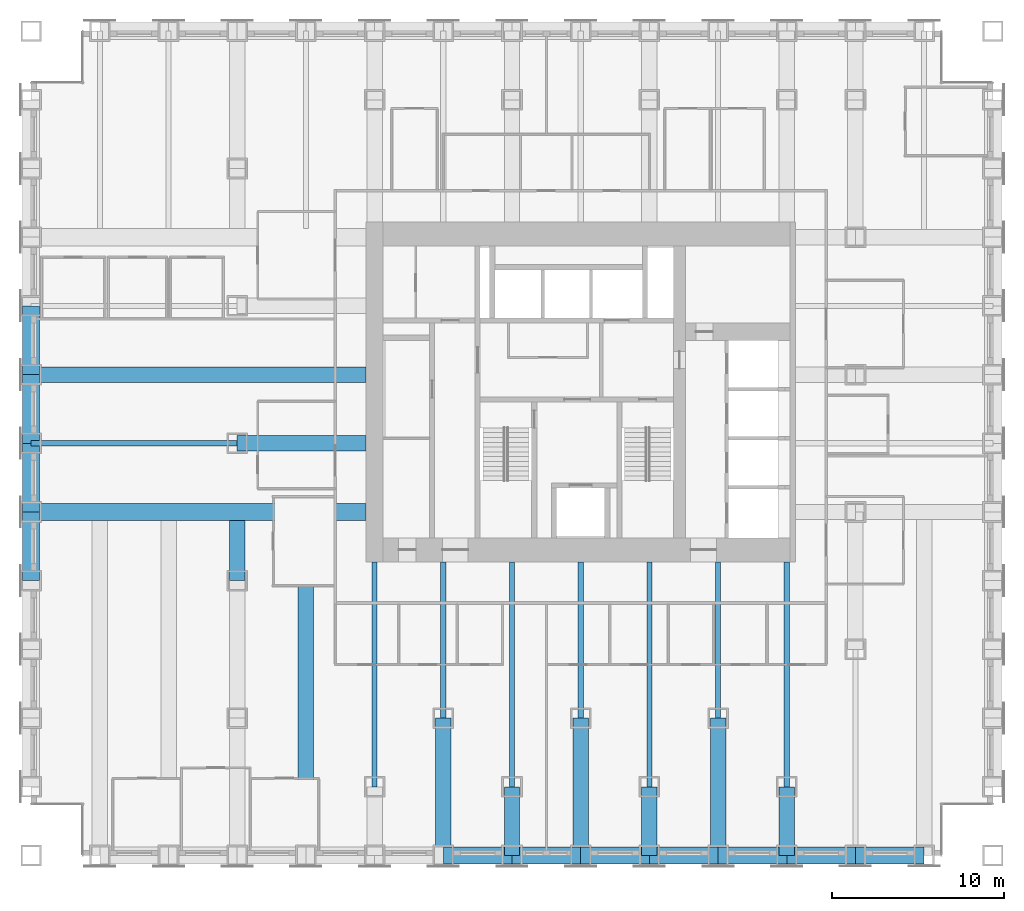
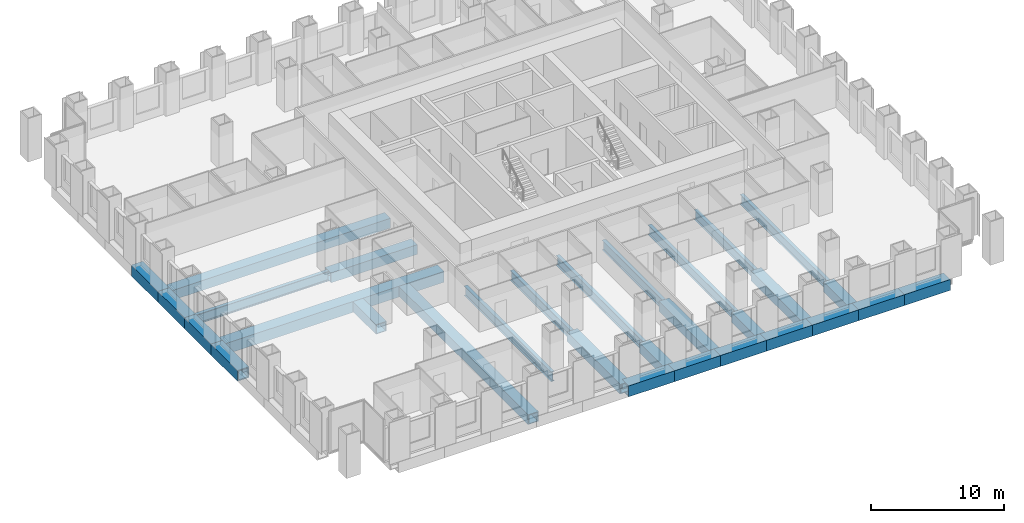
# One storey, part 3 of 14: 30 beams.
"""IFC4 building model written with IfcOpenShell, lengths in metres."""

from ifc_helpers import new_model, si_unit, direction, frame, origin, origin_2d, place, context, subcontext, project, spatial, hollow_rectangle, i_section, extrude, material, material_profile, profile_set, type_object, element, save


model = new_model("IFC4")

# Units and contexts
model_context = context("Model", 3, precision=1e-05, world=origin(), true_north=direction((0.0, 1.0)))
body_context = subcontext(model_context, "Body", "Model", "MODEL_VIEW")
ifc_project = project(units=[si_unit("LENGTHUNIT", "METRE"), si_unit("AREAUNIT", "SQUARE_METRE"), si_unit("VOLUMEUNIT", "CUBIC_METRE"), si_unit("PLANEANGLEUNIT", "RADIAN"), si_unit("MASSUNIT", "GRAM", prefix="KILO")], contexts=[model_context])

# Site, building, storey
site_placement = place(None, origin())
site = spatial("IfcSite", under=ifc_project, at=site_placement, CompositionType="ELEMENT")
building_placement = place(site_placement, origin())
building = spatial("IfcBuilding", under=site, at=building_placement, Name="Rimbunsela Tower", CompositionType="ELEMENT")
storey_placement = place(building_placement, frame((0.0, 0.0, 59.0)))
storey = spatial("IfcBuildingStorey", under=building, at=storey_placement, Name="L14", CompositionType="ELEMENT", Elevation=59.0)

# Beams
ifc_material_1 = material(Name="Steel BJ 55 (fy 410 MPa)", Category="steel")
ifc_material_profile_1 = material_profile(ifc_material_1, hollow_rectangle(XDim=1.0, YDim=1.0, WallThickness=0.10009765625, at=origin_2d()), Name="BOX 1000x1000x100")
ifc_profile_set_1 = profile_set([ifc_material_profile_1], Name="Steel BJ 55 (fy 410 MPa)")
beam_type_1 = type_object("IfcBeamType", Name="Beam BOX 1000x1000x100", PredefinedType="BEAM", material=ifc_profile_set_1)
for number, where, z_axis, x_axis, name in (
    (1, (-2.0, 16.0, -0.64990234375), (0.0, 1.0, 0.0), (-1.0, 0.0, 0.0), "Beam B3 L14"),
    (2, (-2.0, 20.0, -0.64990234375), (0.0, 1.0, 0.0), (-1.0, 0.0, 0.0), "Beam B3 L14"),
):
    element("IfcBeam", number, at=place(storey_placement, frame(where, z_axis=z_axis, x_axis=x_axis)), inside=storey, type_object=beam_type_1, Name=name, PredefinedType="BEAM", context=body_context, shape_type="SweptSolid", body=[
        extrude(hollow_rectangle(XDim=1.0, YDim=1.0, WallThickness=0.10009765625, at=origin_2d()), origin(), (0.0, 0.0, 1.0), 4.0),
    ])
beam_1_placement = place(storey_placement, frame((-2.0, 20.0, -0.64990234375), z_axis=(1.0, 0.0, 0.0), x_axis=(0.0, 1.0, 0.0)))
element("IfcBeam", 3, at=beam_1_placement, inside=storey, type_object=beam_type_1, Name="Beam B3 L14", PredefinedType="BEAM", context=body_context, shape_type="SweptSolid", body=[
    extrude(hollow_rectangle(XDim=1.0, YDim=1.0, WallThickness=0.10009765625, at=origin_2d()), origin(), (0.0, 0.0, 1.0), 19.5),
])
for number, where, z_axis, x_axis, name in (
    (4, (-2.0, 24.0, -0.64990234375), (0.0, 1.0, 0.0), (-1.0, 0.0, 0.0), "Beam B3 L14"),
    (5, (-2.0, 28.0, -0.64990234375), (0.0, 1.0, 0.0), (-1.0, 0.0, 0.0), "Beam B3 L14"),
    (6, (22.0, 0.0, -0.64990234375), (1.0, 0.0, 0.0), (0.0, 1.0, 0.0), "Beam B3 L14"),
    (7, (26.0, 0.0, -0.64990234375), (1.0, 0.0, 0.0), (0.0, 1.0, 0.0), "Beam B3 L14"),
    (8, (30.0, 0.0, -0.64990234375), (1.0, 0.0, 0.0), (0.0, 1.0, 0.0), "Beam B3 L14"),
    (9, (34.0, 0.0, -0.64990234375), (1.0, 0.0, 0.0), (0.0, 1.0, 0.0), "Beam B3 L14"),
    (10, (38.0, 0.0, -0.64990234375), (1.0, 0.0, 0.0), (0.0, 1.0, 0.0), "Beam B3 L14"),
    (11, (42.0, 0.0, -0.64990234375), (1.0, 0.0, 0.0), (0.0, 1.0, 0.0), "Beam B3 L14"),
    (12, (46.0, 0.0, -0.64990234375), (1.0, 0.0, 0.0), (0.0, 1.0, 0.0), "Beam B3 L14"),
):
    element("IfcBeam", number, at=place(storey_placement, frame(where, z_axis=z_axis, x_axis=x_axis)), inside=storey, type_object=beam_type_1, Name=name, PredefinedType="BEAM", context=body_context, shape_type="SweptSolid", body=[
        extrude(hollow_rectangle(XDim=1.0, YDim=1.0, WallThickness=0.10009765625, at=origin_2d()), origin(), (0.0, 0.0, 1.0), 4.0),
    ])
ifc_material_2 = material(Name="Steel BJ 55 (fy 410 MPa)", Category="steel")
ifc_material_profile_2 = material_profile(ifc_material_2, hollow_rectangle(XDim=0.89990234375, YDim=0.89990234375, WallThickness=0.06005859375, at=origin_2d()), Name="BOX 900x900x60")
ifc_profile_set_2 = profile_set([ifc_material_profile_2], Name="Steel BJ 55 (fy 410 MPa)")
beam_type_2 = type_object("IfcBeamType", Name="Beam BOX 900x900x60", PredefinedType="BEAM", material=ifc_profile_set_2)
beam_2_placement = place(storey_placement, frame((-2.0, 28.0, -0.60009765625), z_axis=(1.0, 0.0, 0.0), x_axis=(0.0, 1.0, 0.0)))
element("IfcBeam", 13, at=beam_2_placement, inside=storey, type_object=beam_type_2, Name="Beam B1 L14", PredefinedType="BEAM", context=body_context, shape_type="SweptSolid", body=[
    extrude(hollow_rectangle(XDim=0.89990234375, YDim=0.89990234375, WallThickness=0.06005859375, at=origin_2d()), origin(), (0.0, 0.0, 1.0), 19.5),
])
beam_3_placement = place(storey_placement, frame((10.0, 16.0, -0.60009765625), z_axis=(0.0, 1.0, 0.0), x_axis=(-1.0, 0.0, 0.0)))
element("IfcBeam", 14, at=beam_3_placement, inside=storey, type_object=beam_type_2, Name="Beam B1 L14", PredefinedType="BEAM", context=body_context, shape_type="SweptSolid", body=[
    extrude(hollow_rectangle(XDim=0.89990234375, YDim=0.89990234375, WallThickness=0.06005859375, at=origin_2d()), origin(), (0.0, 0.0, 1.0), 3.5),
])
beam_4_placement = place(storey_placement, frame((10.0, 24.0, -0.60009765625), z_axis=(1.0, 0.0, 0.0), x_axis=(0.0, 1.0, 0.0)))
element("IfcBeam", 15, at=beam_4_placement, inside=storey, type_object=beam_type_2, Name="Beam B1 L14", PredefinedType="BEAM", context=body_context, shape_type="SweptSolid", body=[
    extrude(hollow_rectangle(XDim=0.89990234375, YDim=0.89990234375, WallThickness=0.06005859375, at=origin_2d()), origin(), (0.0, 0.0, 1.0), 7.5),
])
beam_5_placement = place(storey_placement, frame((14.0, 0.0, -0.60009765625), z_axis=(0.0, 1.0, 0.0), x_axis=(-1.0, 0.0, 0.0)))
element("IfcBeam", 16, at=beam_5_placement, inside=storey, type_object=beam_type_2, Name="Beam B1 L14", PredefinedType="BEAM", context=body_context, shape_type="SweptSolid", body=[
    extrude(hollow_rectangle(XDim=0.89990234375, YDim=0.89990234375, WallThickness=0.06005859375, at=origin_2d()), origin(), (0.0, 0.0, 1.0), 19.5),
])
beam_6_placement = place(storey_placement, frame((22.0, 0.0, -0.60009765625), z_axis=(0.0, 1.0, 0.0), x_axis=(-1.0, 0.0, 0.0)))
element("IfcBeam", 17, at=beam_6_placement, inside=storey, type_object=beam_type_2, Name="Beam B1 L14", PredefinedType="BEAM", context=body_context, shape_type="SweptSolid", body=[
    extrude(hollow_rectangle(XDim=0.89990234375, YDim=0.89990234375, WallThickness=0.06005859375, at=origin_2d()), origin(), (0.0, 0.0, 1.0), 8.0),
])
beam_7_placement = place(storey_placement, frame((26.0, 0.0, -0.60009765625), z_axis=(0.0, 1.0, 0.0), x_axis=(-1.0, 0.0, 0.0)))
element("IfcBeam", 18, at=beam_7_placement, inside=storey, type_object=beam_type_2, Name="Beam B1 L14", PredefinedType="BEAM", context=body_context, shape_type="SweptSolid", body=[
    extrude(hollow_rectangle(XDim=0.89990234375, YDim=0.89990234375, WallThickness=0.06005859375, at=origin_2d()), origin(), (0.0, 0.0, 1.0), 4.0),
])
beam_8_placement = place(storey_placement, frame((30.0, 0.0, -0.60009765625), z_axis=(0.0, 1.0, 0.0), x_axis=(-1.0, 0.0, 0.0)))
element("IfcBeam", 19, at=beam_8_placement, inside=storey, type_object=beam_type_2, Name="Beam B1 L14", PredefinedType="BEAM", context=body_context, shape_type="SweptSolid", body=[
    extrude(hollow_rectangle(XDim=0.89990234375, YDim=0.89990234375, WallThickness=0.06005859375, at=origin_2d()), origin(), (0.0, 0.0, 1.0), 8.0),
])
beam_9_placement = place(storey_placement, frame((34.0, 0.0, -0.60009765625), z_axis=(0.0, 1.0, 0.0), x_axis=(-1.0, 0.0, 0.0)))
element("IfcBeam", 20, at=beam_9_placement, inside=storey, type_object=beam_type_2, Name="Beam B1 L14", PredefinedType="BEAM", context=body_context, shape_type="SweptSolid", body=[
    extrude(hollow_rectangle(XDim=0.89990234375, YDim=0.89990234375, WallThickness=0.06005859375, at=origin_2d()), origin(), (0.0, 0.0, 1.0), 4.0),
])
beam_10_placement = place(storey_placement, frame((38.0, 0.0, -0.60009765625), z_axis=(0.0, 1.0, 0.0), x_axis=(-1.0, 0.0, 0.0)))
element("IfcBeam", 21, at=beam_10_placement, inside=storey, type_object=beam_type_2, Name="Beam B1 L14", PredefinedType="BEAM", context=body_context, shape_type="SweptSolid", body=[
    extrude(hollow_rectangle(XDim=0.89990234375, YDim=0.89990234375, WallThickness=0.06005859375, at=origin_2d()), origin(), (0.0, 0.0, 1.0), 8.0),
])
beam_11_placement = place(storey_placement, frame((42.0, 0.0, -0.60009765625), z_axis=(0.0, 1.0, 0.0), x_axis=(-1.0, 0.0, 0.0)))
element("IfcBeam", 22, at=beam_11_placement, inside=storey, type_object=beam_type_2, Name="Beam B1 L14", PredefinedType="BEAM", context=body_context, shape_type="SweptSolid", body=[
    extrude(hollow_rectangle(XDim=0.89990234375, YDim=0.89990234375, WallThickness=0.06005859375, at=origin_2d()), origin(), (0.0, 0.0, 1.0), 4.0),
])
ifc_material_3 = material(Name="Steel BJ 55 (fy 410 MPa)", Category="steel")
ifc_material_profile_3 = material_profile(ifc_material_3, i_section(OverallWidth=0.300048828125, OverallDepth=0.89990234375, WebThickness=0.01611328125, FlangeThickness=0.028076171875, FilletRadius=0.028076171875, at=origin_2d()), Name="H 900x300x16x28")
ifc_profile_set_3 = profile_set([ifc_material_profile_3], Name="Steel BJ 55 (fy 410 MPa)")
beam_type_3 = type_object("IfcBeamType", Name="Beam H 900x300x16x28", PredefinedType="BEAM", material=ifc_profile_set_3)
beam_12_placement = place(storey_placement, frame((-2.0, 24.0, -0.60009765625), z_axis=(1.0, 0.0, 0.0), x_axis=(0.0, 1.0, 0.0)))
element("IfcBeam", 23, at=beam_12_placement, inside=storey, type_object=beam_type_3, Name="Beam B2 L14", PredefinedType="BEAM", context=body_context, shape_type="SweptSolid", body=[
    extrude(i_section(OverallWidth=0.300048828125, OverallDepth=0.89990234375, WebThickness=0.01611328125, FlangeThickness=0.028076171875, FilletRadius=0.028076171875, at=origin_2d()), origin(), (0.0, 0.0, 1.0), 12.0),
])
beam_13_placement = place(storey_placement, frame((18.0, 4.0, -0.60009765625), z_axis=(0.0, 1.0, 0.0), x_axis=(-1.0, 0.0, 0.0)))
element("IfcBeam", 24, at=beam_13_placement, inside=storey, type_object=beam_type_3, Name="Beam B2 L14", PredefinedType="BEAM", context=body_context, shape_type="SweptSolid", body=[
    extrude(i_section(OverallWidth=0.300048828125, OverallDepth=0.89990234375, WebThickness=0.01611328125, FlangeThickness=0.028076171875, FilletRadius=0.028076171875, at=origin_2d()), origin(), (0.0, 0.0, 1.0), 13.10009765625),
])
beam_14_placement = place(storey_placement, frame((22.0, 8.0, -0.60009765625), z_axis=(0.0, 1.0, 0.0), x_axis=(-1.0, 0.0, 0.0)))
element("IfcBeam", 25, at=beam_14_placement, inside=storey, type_object=beam_type_3, Name="Beam B2 L14", PredefinedType="BEAM", context=body_context, shape_type="SweptSolid", body=[
    extrude(i_section(OverallWidth=0.300048828125, OverallDepth=0.89990234375, WebThickness=0.01611328125, FlangeThickness=0.028076171875, FilletRadius=0.028076171875, at=origin_2d()), origin(), (0.0, 0.0, 1.0), 9.10009765625),
])
beam_15_placement = place(storey_placement, frame((26.0, 4.0, -0.60009765625), z_axis=(0.0, 1.0, 0.0), x_axis=(-1.0, 0.0, 0.0)))
element("IfcBeam", 26, at=beam_15_placement, inside=storey, type_object=beam_type_3, Name="Beam B2 L14", PredefinedType="BEAM", context=body_context, shape_type="SweptSolid", body=[
    extrude(i_section(OverallWidth=0.300048828125, OverallDepth=0.89990234375, WebThickness=0.01611328125, FlangeThickness=0.028076171875, FilletRadius=0.028076171875, at=origin_2d()), origin(), (0.0, 0.0, 1.0), 13.10009765625),
])
beam_16_placement = place(storey_placement, frame((30.0, 8.0, -0.60009765625), z_axis=(0.0, 1.0, 0.0), x_axis=(-1.0, 0.0, 0.0)))
element("IfcBeam", 27, at=beam_16_placement, inside=storey, type_object=beam_type_3, Name="Beam B2 L14", PredefinedType="BEAM", context=body_context, shape_type="SweptSolid", body=[
    extrude(i_section(OverallWidth=0.300048828125, OverallDepth=0.89990234375, WebThickness=0.01611328125, FlangeThickness=0.028076171875, FilletRadius=0.028076171875, at=origin_2d()), origin(), (0.0, 0.0, 1.0), 9.10009765625),
])
beam_17_placement = place(storey_placement, frame((34.0, 4.0, -0.60009765625), z_axis=(0.0, 1.0, 0.0), x_axis=(-1.0, 0.0, 0.0)))
element("IfcBeam", 28, at=beam_17_placement, inside=storey, type_object=beam_type_3, Name="Beam B2 L14", PredefinedType="BEAM", context=body_context, shape_type="SweptSolid", body=[
    extrude(i_section(OverallWidth=0.300048828125, OverallDepth=0.89990234375, WebThickness=0.01611328125, FlangeThickness=0.028076171875, FilletRadius=0.028076171875, at=origin_2d()), origin(), (0.0, 0.0, 1.0), 13.10009765625),
])
beam_18_placement = place(storey_placement, frame((38.0, 8.0, -0.60009765625), z_axis=(0.0, 1.0, 0.0), x_axis=(-1.0, 0.0, 0.0)))
element("IfcBeam", 29, at=beam_18_placement, inside=storey, type_object=beam_type_3, Name="Beam B2 L14", PredefinedType="BEAM", context=body_context, shape_type="SweptSolid", body=[
    extrude(i_section(OverallWidth=0.300048828125, OverallDepth=0.89990234375, WebThickness=0.01611328125, FlangeThickness=0.028076171875, FilletRadius=0.028076171875, at=origin_2d()), origin(), (0.0, 0.0, 1.0), 9.10009765625),
])
beam_19_placement = place(storey_placement, frame((42.0, 4.0, -0.60009765625), z_axis=(0.0, 1.0, 0.0), x_axis=(-1.0, 0.0, 0.0)))
element("IfcBeam", 30, at=beam_19_placement, inside=storey, type_object=beam_type_3, Name="Beam B2 L14", PredefinedType="BEAM", context=body_context, shape_type="SweptSolid", body=[
    extrude(i_section(OverallWidth=0.300048828125, OverallDepth=0.89990234375, WebThickness=0.01611328125, FlangeThickness=0.028076171875, FilletRadius=0.028076171875, at=origin_2d()), origin(), (0.0, 0.0, 1.0), 13.10009765625),
])

save(model, "model.ifc")
